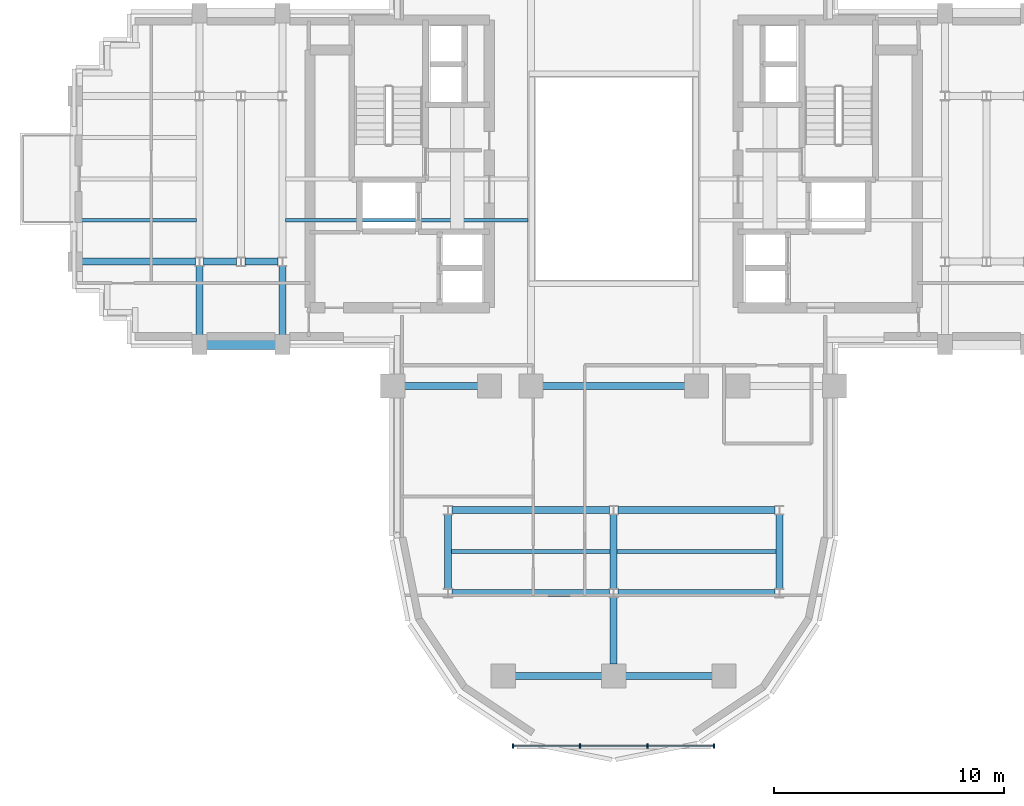
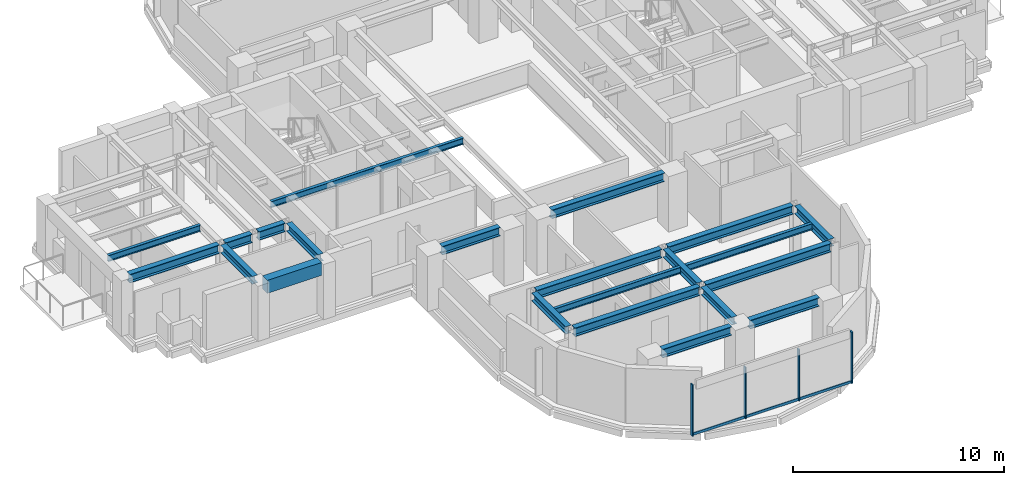
# One storey, part 3 of 13: 22 beams, 7 members, 1 element without a shape of its own.
"""IFC4 building model written with IfcOpenShell, lengths in metres."""

from ifc_helpers import new_model, si_unit, direction, frame, origin, origin_2d, place, context, subcontext, project, spatial, rectangle, i_section, extrude, source, transform, mapped, material, material_profile, profile_set, type_object, element, aggregate, save


model = new_model("IFC4")

# Units and contexts
model_context = context("Model", 3, precision=1e-05, world=origin(), true_north=direction((0.0, 1.0)))
body_context = subcontext(model_context, "Body", "Model", "MODEL_VIEW")
ifc_project = project(units=[si_unit("LENGTHUNIT", "METRE"), si_unit("AREAUNIT", "SQUARE_METRE"), si_unit("VOLUMEUNIT", "CUBIC_METRE"), si_unit("PLANEANGLEUNIT", "RADIAN"), si_unit("MASSUNIT", "GRAM", prefix="KILO")], contexts=[model_context])

# Site, building, storey
site_placement = place(None, origin())
site = spatial("IfcSite", under=ifc_project, at=site_placement, CompositionType="ELEMENT")
building_placement = place(site_placement, origin())
building = spatial("IfcBuilding", under=site, at=building_placement, Name="Keilestroom Media Tower", CompositionType="ELEMENT")
storey_placement = place(building_placement, frame((0.0, 0.0, 107.39990234375)))
storey = spatial("IfcBuildingStorey", under=building, at=storey_placement, Name="L28", CompositionType="ELEMENT", Elevation=107.39990234375)

# Beams
ifc_material_1 = material(Name="Steel S355", Category="steel")
ifc_material_profile_1 = material_profile(ifc_material_1, i_section(OverallWidth=0.169921875, OverallDepth=0.360107421875, WebThickness=0.008056640625, FlangeThickness=0.0126953125, at=origin_2d()), Name="IPE 360")
ifc_profile_set_1 = profile_set([ifc_material_profile_1], Name="Steel S355")
beam_type_1 = type_object("IfcBeamType", Name="Secondary-Floor-Joist-IPE-360", PredefinedType="JOIST", material=ifc_profile_set_1)
shared_shape_1 = source(origin(), body_context, "Body", "SweptSolid", [
    extrude(i_section(OverallWidth=0.169921875, OverallDepth=0.360107421875, WebThickness=0.008056640625, FlangeThickness=0.0126953125, at=origin_2d()), origin(), (0.0, 0.0, 1.0), 6.940185546875),
])
for number, where, z_axis, x_axis, name in (
    (1, (-7.070068359375, -16.199951171875, 3.02001953125), (1.0, 0.0, 0.0), (0.0, 1.0, 0.0), "L28 Beam BJ-5 JST-L28-069"),
    (2, (0.1298828125, -16.199951171875, 3.02001953125), (1.0, 0.0, 0.0), (0.0, 1.0, 0.0), "L28 Beam BJ-5 JST-L28-070"),
):
    element("IfcBeam", number, at=place(storey_placement, frame(where, z_axis=z_axis, x_axis=x_axis)), inside=storey, type_object=beam_type_1, Name=name, PredefinedType="JOIST", context=body_context, shape_type="MappedRepresentation", body=[
        mapped(shared_shape_1, transform((0.0, 0.0, 0.0), x_axis=(1.0, 0.0, 0.0), y_axis=(0.0, 1.0, 0.0), z_axis=(0.0, 0.0, 1.0), scale=1.0)),
    ])
shared_shape_2 = source(origin(), body_context, "Body", "SweptSolid", [
    extrude(i_section(OverallWidth=0.169921875, OverallDepth=0.360107421875, WebThickness=0.008056640625, FlangeThickness=0.0126953125, at=origin_2d()), origin(), (0.0, 0.0, 1.0), 10.5400390625),
])
beam_1_placement = place(storey_placement, frame((-14.27001953125, -1.800048828125, 3.02001953125), z_axis=(1.0, 0.0, 0.0), x_axis=(0.0, 1.0, 0.0)))
element("IfcBeam", 3, at=beam_1_placement, inside=storey, type_object=beam_type_1, Name="L28 Beam BJ-5 JST-L28-072", PredefinedType="JOIST", context=body_context, shape_type="MappedRepresentation", body=[
    mapped(shared_shape_2, transform((0.0, 0.0, 0.0), x_axis=(1.0, 0.0, 0.0), y_axis=(0.0, 1.0, 0.0), z_axis=(0.0, 0.0, 1.0), scale=1.0)),
])
ifc_material_profile_2 = material_profile(ifc_material_1, i_section(OverallWidth=0.300048828125, OverallDepth=0.5, WebThickness=0.012451171875, FlangeThickness=0.028076171875, at=origin_2d()), Name="HEB 500")
ifc_profile_set_2 = profile_set([ifc_material_profile_2], Name="Steel S355")
beam_type_2 = type_object("IfcBeamType", Name="Primary-Structural-Girder-HEB-500", PredefinedType="BEAM", material=ifc_profile_set_2)
shared_shape_3 = source(origin(), body_context, "Body", "SweptSolid", [
    extrude(i_section(OverallWidth=0.300048828125, OverallDepth=0.5, WebThickness=0.012451171875, FlangeThickness=0.028076171875, at=origin_2d()), origin(), (0.0, 0.0, 1.0), 3.7900390625),
])
for number, where, z_axis, x_axis, name in (
    (4, (-4.294921875, -21.60009765625, 2.9501953125), (1.0, 0.0, 0.0), (0.0, 1.0, 0.0), "L28 Beam BG-6 BM-L28-EW-001"),
    (5, (0.5048828125, -21.60009765625, 2.9501953125), (1.0, 0.0, 0.0), (0.0, 1.0, 0.0), "L28 Beam BG-6 BM-L28-EW-002"),
):
    element("IfcBeam", number, at=place(storey_placement, frame(where, z_axis=z_axis, x_axis=x_axis)), inside=storey, type_object=beam_type_2, Name=name, PredefinedType="BEAM", context=body_context, shape_type="MappedRepresentation", body=[
        mapped(shared_shape_3, transform((0.0, 0.0, 0.0), x_axis=(1.0, 0.0, 0.0), y_axis=(0.0, 1.0, 0.0), z_axis=(0.0, 0.0, 1.0), scale=1.0)),
    ])
shared_shape_4 = source(origin(), body_context, "Body", "SweptSolid", [
    extrude(i_section(OverallWidth=0.300048828125, OverallDepth=0.5, WebThickness=0.012451171875, FlangeThickness=0.028076171875, at=origin_2d()), origin(), (0.0, 0.0, 1.0), 6.839111328125),
])
for number, where, z_axis, x_axis, name in (
    (6, (-7.01953125, -18.0, 2.9501953125), (1.0, 0.0, 0.0), (0.0, 1.0, 0.0), "L28 Beam BG-6 BM-L28-EW-003"),
    (7, (0.180419921875, -18.0, 2.9501953125), (1.0, 0.0, 0.0), (0.0, 1.0, 0.0), "L28 Beam BG-6 BM-L28-EW-004"),
    (8, (-7.01953125, -14.39990234375, 2.9501953125), (1.0, 0.0, 0.0), (0.0, 1.0, 0.0), "L28 Beam BG-6 BM-L28-EW-005"),
    (9, (0.180419921875, -14.39990234375, 2.9501953125), (1.0, 0.0, 0.0), (0.0, 1.0, 0.0), "L28 Beam BG-6 BM-L28-EW-006"),
):
    element("IfcBeam", number, at=place(storey_placement, frame(where, z_axis=z_axis, x_axis=x_axis)), inside=storey, type_object=beam_type_2, Name=name, PredefinedType="BEAM", context=body_context, shape_type="MappedRepresentation", body=[
        mapped(shared_shape_4, transform((0.0, 0.0, 0.0), x_axis=(1.0, 0.0, 0.0), y_axis=(0.0, 1.0, 0.0), z_axis=(0.0, 0.0, 1.0), scale=1.0)),
    ])
shared_shape_5 = source(origin(), body_context, "Body", "SweptSolid", [
    extrude(i_section(OverallWidth=0.300048828125, OverallDepth=0.5, WebThickness=0.012451171875, FlangeThickness=0.028076171875, at=origin_2d()), origin(), (0.0, 0.0, 1.0), 3.18994140625),
])
beam_2_placement = place(storey_placement, frame((-9.094970703125, -9.0, 2.9501953125), z_axis=(1.0, 0.0, 0.0), x_axis=(0.0, 1.0, 0.0)))
element("IfcBeam", 10, at=beam_2_placement, inside=storey, type_object=beam_type_2, Name="L28 Beam BG-6 BM-L28-EW-007", PredefinedType="BEAM", context=body_context, shape_type="MappedRepresentation", body=[
    mapped(shared_shape_5, transform((0.0, 0.0, 0.0), x_axis=(1.0, 0.0, 0.0), y_axis=(0.0, 1.0, 0.0), z_axis=(0.0, 0.0, 1.0), scale=1.0)),
])
shared_shape_6 = source(origin(), body_context, "Body", "SweptSolid", [
    extrude(i_section(OverallWidth=0.300048828125, OverallDepth=0.5, WebThickness=0.012451171875, FlangeThickness=0.028076171875, at=origin_2d()), origin(), (0.0, 0.0, 1.0), 6.18994140625),
])
beam_3_placement = place(storey_placement, frame((-3.094970703125, -9.0, 2.9501953125), z_axis=(1.0, 0.0, 0.0), x_axis=(0.0, 1.0, 0.0)))
element("IfcBeam", 11, at=beam_3_placement, inside=storey, type_object=beam_type_2, Name="L28 Beam BG-6 BM-L28-EW-009", PredefinedType="BEAM", context=body_context, shape_type="MappedRepresentation", body=[
    mapped(shared_shape_6, transform((0.0, 0.0, 0.0), x_axis=(1.0, 0.0, 0.0), y_axis=(0.0, 1.0, 0.0), z_axis=(0.0, 0.0, 1.0), scale=1.0)),
])
ifc_material_2 = material(Name="Precast concrete C40/50", Category="concrete")
ifc_material_profile_3 = material_profile(ifc_material_2, rectangle(XDim=0.449951171875, YDim=0.75, at=origin_2d()), Name="PC 450x750")
ifc_profile_set_3 = profile_set([ifc_material_profile_3], Name="Precast concrete C40/50")
beam_type_3 = type_object("IfcBeamType", Name="Perimeter-Spandrel-Beam-PC-450x750", PredefinedType="SPANDREL", material=ifc_profile_set_3)
shared_shape_7 = source(origin(), body_context, "Body", "SweptSolid", [
    extrude(rectangle(XDim=0.449951171875, YDim=0.75, at=origin_2d()), origin(), (0.0, 0.0, 1.0), 2.989990234375),
])
beam_4_placement = place(storey_placement, frame((-17.695068359375, -7.199951171875, 2.8251953125), z_axis=(1.0, 0.0, 0.0), x_axis=(0.0, 1.0, 0.0)))
element("IfcBeam", 12, at=beam_4_placement, inside=storey, type_object=beam_type_3, Name="L28 Beam SPB-1 BM-L28-EW-012", PredefinedType="SPANDREL", context=body_context, shape_type="MappedRepresentation", body=[
    mapped(shared_shape_7, transform((0.0, 0.0, 0.0), x_axis=(1.0, 0.0, 0.0), y_axis=(0.0, 1.0, 0.0), z_axis=(0.0, 0.0, 1.0), scale=1.0)),
])
shared_shape_8 = source(origin(), body_context, "Body", "SweptSolid", [
    extrude(i_section(OverallWidth=0.300048828125, OverallDepth=0.5, WebThickness=0.012451171875, FlangeThickness=0.028076171875, at=origin_2d()), origin(), (0.0, 0.0, 1.0), 4.91455078125),
])
beam_5_placement = place(storey_placement, frame((-23.094970703125, -3.60009765625, 2.9501953125), z_axis=(1.0, 0.0, 0.0), x_axis=(0.0, 1.0, 0.0)))
element("IfcBeam", 13, at=beam_5_placement, inside=storey, type_object=beam_type_2, Name="L28 Beam BG-6 BM-L28-EW-014", PredefinedType="BEAM", context=body_context, shape_type="MappedRepresentation", body=[
    mapped(shared_shape_8, transform((0.0, 0.0, 0.0), x_axis=(1.0, 0.0, 0.0), y_axis=(0.0, 1.0, 0.0), z_axis=(0.0, 0.0, 1.0), scale=1.0)),
])
shared_shape_9 = source(origin(), body_context, "Body", "SweptSolid", [
    extrude(i_section(OverallWidth=0.300048828125, OverallDepth=0.5, WebThickness=0.012451171875, FlangeThickness=0.028076171875, at=origin_2d()), origin(), (0.0, 0.0, 1.0), 1.43896484375),
])
for number, where, z_axis, x_axis, name in (
    (14, (-17.819580078125, -3.60009765625, 2.9501953125), (1.0, 0.0, 0.0), (0.0, 1.0, 0.0), "L28 Beam BG-6 BM-L28-EW-015"),
    (15, (-16.01953125, -3.60009765625, 2.9501953125), (1.0, 0.0, 0.0), (0.0, 1.0, 0.0), "L28 Beam BG-6 BM-L28-EW-016"),
):
    element("IfcBeam", number, at=place(storey_placement, frame(where, z_axis=z_axis, x_axis=x_axis)), inside=storey, type_object=beam_type_2, Name=name, PredefinedType="BEAM", context=body_context, shape_type="MappedRepresentation", body=[
        mapped(shared_shape_9, transform((0.0, 0.0, 0.0), x_axis=(1.0, 0.0, 0.0), y_axis=(0.0, 1.0, 0.0), z_axis=(0.0, 0.0, 1.0), scale=1.0)),
    ])
ifc_material_profile_4 = material_profile(ifc_material_1, i_section(OverallWidth=0.300048828125, OverallDepth=0.449951171875, WebThickness=0.011962890625, FlangeThickness=0.02587890625, at=origin_2d()), Name="HEB 450")
ifc_profile_set_4 = profile_set([ifc_material_profile_4], Name="Steel S355")
beam_type_4 = type_object("IfcBeamType", Name="Primary-Structural-Girder-HEB-450", PredefinedType="BEAM", material=ifc_profile_set_4)
shared_shape_10 = source(origin(), body_context, "Body", "SweptSolid", [
    extrude(i_section(OverallWidth=0.300048828125, OverallDepth=0.449951171875, WebThickness=0.011962890625, FlangeThickness=0.02587890625, at=origin_2d()), origin(), (0.0, 0.0, 1.0), 3.015380859375),
])
for number, where, z_axis, x_axis, name in (
    (16, (-18.0, -6.794921875, 2.97509765625), (0.0, 1.0, 0.0), (-1.0, 0.0, 0.0), "L28 Beam BG-7 BM-L28-NS-040"),
    (17, (-14.39990234375, -6.794921875, 2.97509765625), (0.0, 1.0, 0.0), (-1.0, 0.0, 0.0), "L28 Beam BG-7 BM-L28-NS-044"),
):
    element("IfcBeam", number, at=place(storey_placement, frame(where, z_axis=z_axis, x_axis=x_axis)), inside=storey, type_object=beam_type_4, Name=name, PredefinedType="BEAM", context=body_context, shape_type="MappedRepresentation", body=[
        mapped(shared_shape_10, transform((0.0, 0.0, 0.0), x_axis=(1.0, 0.0, 0.0), y_axis=(0.0, 1.0, 0.0), z_axis=(0.0, 0.0, 1.0), scale=1.0)),
    ])
shared_shape_11 = source(origin(), body_context, "Body", "SweptSolid", [
    extrude(i_section(OverallWidth=0.300048828125, OverallDepth=0.449951171875, WebThickness=0.011962890625, FlangeThickness=0.02587890625, at=origin_2d()), origin(), (0.0, 0.0, 1.0), 3.240966796875),
])
for number, where, z_axis, x_axis, name in (
    (18, (-7.199951171875, -17.820556640625, 2.97509765625), (0.0, 1.0, 0.0), (-1.0, 0.0, 0.0), "L28 Beam BG-7 BM-L28-NS-048"),
    (19, (0.0, -17.820556640625, 2.97509765625), (0.0, 1.0, 0.0), (-1.0, 0.0, 0.0), "L28 Beam BG-7 BM-L28-NS-053"),
    (20, (7.199951171875, -17.820556640625, 2.97509765625), (0.0, 1.0, 0.0), (-1.0, 0.0, 0.0), "L28 Beam BG-7 BM-L28-NS-058"),
):
    element("IfcBeam", number, at=place(storey_placement, frame(where, z_axis=z_axis, x_axis=x_axis)), inside=storey, type_object=beam_type_4, Name=name, PredefinedType="BEAM", context=body_context, shape_type="MappedRepresentation", body=[
        mapped(shared_shape_11, transform((0.0, 0.0, 0.0), x_axis=(1.0, 0.0, 0.0), y_axis=(0.0, 1.0, 0.0), z_axis=(0.0, 0.0, 1.0), scale=1.0)),
    ])
shared_shape_12 = source(origin(), body_context, "Body", "SweptSolid", [
    extrude(i_section(OverallWidth=0.300048828125, OverallDepth=0.449951171875, WebThickness=0.011962890625, FlangeThickness=0.02587890625, at=origin_2d()), origin(), (0.0, 0.0, 1.0), 2.91552734375),
])
beam_6_placement = place(storey_placement, frame((0.0, -21.094970703125, 2.97509765625), z_axis=(0.0, 1.0, 0.0), x_axis=(-1.0, 0.0, 0.0)))
element("IfcBeam", 21, at=beam_6_placement, inside=storey, type_object=beam_type_4, Name="L28 Beam BG-7 BM-L28-NS-052", PredefinedType="BEAM", context=body_context, shape_type="MappedRepresentation", body=[
    mapped(shared_shape_12, transform((0.0, 0.0, 0.0), x_axis=(1.0, 0.0, 0.0), y_axis=(0.0, 1.0, 0.0), z_axis=(0.0, 0.0, 1.0), scale=1.0)),
])
shared_shape_13 = source(origin(), body_context, "Body", "SweptSolid", [
    extrude(i_section(OverallWidth=0.169921875, OverallDepth=0.360107421875, WebThickness=0.008056640625, FlangeThickness=0.0126953125, at=origin_2d()), origin(), (0.0, 0.0, 1.0), 5.065185546875),
])
beam_7_placement = place(storey_placement, frame((-23.195068359375, -1.800048828125, 3.02001953125), z_axis=(1.0, 0.0, 0.0), x_axis=(0.0, 1.0, 0.0)))
element("IfcBeam", 22, at=beam_7_placement, inside=storey, type_object=beam_type_1, Name="L28 Beam BJ-5 JST-L28-071", PredefinedType="JOIST", context=body_context, shape_type="MappedRepresentation", body=[
    mapped(shared_shape_13, transform((0.0, 0.0, 0.0), x_axis=(1.0, 0.0, 0.0), y_axis=(0.0, 1.0, 0.0), z_axis=(0.0, 0.0, 1.0), scale=1.0)),
])

# Curtain wall, members
ifc_material_3 = material(Name="Anodised Aluminium Alloy", Category="aluminium")
curtain_wall_type = type_object("IfcCurtainWallType", Name="Unitised-Curtain-Wall-CW-6", PredefinedType="NOTDEFINED", material=ifc_material_3)
curtain_wall_placement = place(storey_placement, origin())
curtain_wall = element("IfcCurtainWall", 23, at=curtain_wall_placement, inside=storey, type_object=curtain_wall_type, Name="L28 Curtain Wall CW-6 CW-L28-LS-1", PredefinedType="NOTDEFINED")
ifc_material_profile_5 = material_profile(ifc_material_3, rectangle(XDim=0.06494140625, YDim=0.179931640625, at=origin_2d()), Name="ALU MULLION 65x180")
ifc_profile_set_5 = profile_set([ifc_material_profile_5], Name="Anodised Aluminium Alloy")
member_type_1 = type_object("IfcMemberType", Name="Curtain-Wall-Mullion-CW-6", PredefinedType="MULLION", material=ifc_profile_set_5)
shared_shape_14 = source(origin(), body_context, "Body", "SweptSolid", [
    extrude(rectangle(XDim=0.06494140625, YDim=0.179931640625, at=origin_2d()), origin(), (0.0, 0.0, 1.0), 2.97998046875),
])
member_1_placement = place(storey_placement, frame((-4.367431640625, -24.64990234375, 0.0), z_axis=(0.0, 0.0, 1.0), x_axis=(1.0, 0.0, 0.0)))
member_1 = element("IfcMember", 24, at=member_1_placement, type_object=member_type_1, Name="CW-6 Mullion 00", PredefinedType="MULLION", context=body_context, shape_type="MappedRepresentation", body=[
    mapped(shared_shape_14, transform((0.0, 0.0, 0.0), x_axis=(1.0, 0.0, 0.0), y_axis=(0.0, 1.0, 0.0), z_axis=(0.0, 0.0, 1.0), scale=1.0)),
])
member_2_placement = place(storey_placement, frame((-1.466796875, -24.64990234375, 0.0), z_axis=(0.0, 0.0, 1.0), x_axis=(1.0, 0.0, 0.0)))
member_2 = element("IfcMember", 25, at=member_2_placement, type_object=member_type_1, Name="CW-6 Mullion 01", PredefinedType="MULLION", context=body_context, shape_type="MappedRepresentation", body=[
    mapped(shared_shape_14, transform((0.0, 0.0, 0.0), x_axis=(1.0, 0.0, 0.0), y_axis=(0.0, 1.0, 0.0), z_axis=(0.0, 0.0, 1.0), scale=1.0)),
])
member_3_placement = place(storey_placement, frame((1.466796875, -24.64990234375, 0.0), z_axis=(0.0, 0.0, 1.0), x_axis=(1.0, 0.0, 0.0)))
member_3 = element("IfcMember", 26, at=member_3_placement, type_object=member_type_1, Name="CW-6 Mullion 02", PredefinedType="MULLION", context=body_context, shape_type="MappedRepresentation", body=[
    mapped(shared_shape_14, transform((0.0, 0.0, 0.0), x_axis=(1.0, 0.0, 0.0), y_axis=(0.0, 1.0, 0.0), z_axis=(0.0, 0.0, 1.0), scale=1.0)),
])
member_4_placement = place(storey_placement, frame((4.367431640625, -24.64990234375, 0.0), z_axis=(0.0, 0.0, 1.0), x_axis=(1.0, 0.0, 0.0)))
member_4 = element("IfcMember", 27, at=member_4_placement, type_object=member_type_1, Name="CW-6 Mullion 03", PredefinedType="MULLION", context=body_context, shape_type="MappedRepresentation", body=[
    mapped(shared_shape_14, transform((0.0, 0.0, 0.0), x_axis=(1.0, 0.0, 0.0), y_axis=(0.0, 1.0, 0.0), z_axis=(0.0, 0.0, 1.0), scale=1.0)),
])
ifc_material_profile_6 = material_profile(ifc_material_3, rectangle(XDim=0.06494140625, YDim=0.14990234375, at=origin_2d()), Name="ALU TRANSOM 65x150")
ifc_profile_set_6 = profile_set([ifc_material_profile_6], Name="Anodised Aluminium Alloy")
member_type_2 = type_object("IfcMemberType", Name="Curtain-Wall-Transom-CW-6", PredefinedType="USERDEFINED", material=ifc_profile_set_6)
shared_shape_15 = source(origin(), body_context, "Body", "SweptSolid", [
    extrude(rectangle(XDim=0.06494140625, YDim=0.14990234375, at=origin_2d()), origin(), (0.0, 0.0, 1.0), 2.839599609375),
])
member_5_placement = place(storey_placement, frame((-4.3369140625, -24.64990234375, 0.0751953125), z_axis=(1.0, 0.0, 0.0), x_axis=(0.0, 1.0, 0.0)))
member_5 = element("IfcMember", 28, at=member_5_placement, type_object=member_type_2, Name="CW-6 Transom 00.1", ObjectType="TRANSOM", PredefinedType="USERDEFINED", context=body_context, shape_type="MappedRepresentation", body=[
    mapped(shared_shape_15, transform((0.0, 0.0, 0.0), x_axis=(1.0, 0.0, 0.0), y_axis=(0.0, 1.0, 0.0), z_axis=(0.0, 0.0, 1.0), scale=1.0)),
])
member_6_placement = place(storey_placement, frame((1.497314453125, -24.64990234375, 0.0751953125), z_axis=(1.0, 0.0, 0.0), x_axis=(0.0, 1.0, 0.0)))
member_6 = element("IfcMember", 29, at=member_6_placement, type_object=member_type_2, Name="CW-6 Transom 02.1", ObjectType="TRANSOM", PredefinedType="USERDEFINED", context=body_context, shape_type="MappedRepresentation", body=[
    mapped(shared_shape_15, transform((0.0, 0.0, 0.0), x_axis=(1.0, 0.0, 0.0), y_axis=(0.0, 1.0, 0.0), z_axis=(0.0, 0.0, 1.0), scale=1.0)),
])
shared_shape_16 = source(origin(), body_context, "Body", "SweptSolid", [
    extrude(rectangle(XDim=0.06494140625, YDim=0.14990234375, at=origin_2d()), origin(), (0.0, 0.0, 1.0), 2.87255859375),
])
member_7_placement = place(storey_placement, frame((-1.436279296875, -24.64990234375, 0.0751953125), z_axis=(1.0, 0.0, 0.0), x_axis=(0.0, 1.0, 0.0)))
member_7 = element("IfcMember", 30, at=member_7_placement, type_object=member_type_2, Name="CW-6 Transom 01.1", ObjectType="TRANSOM", PredefinedType="USERDEFINED", context=body_context, shape_type="MappedRepresentation", body=[
    mapped(shared_shape_16, transform((0.0, 0.0, 0.0), x_axis=(1.0, 0.0, 0.0), y_axis=(0.0, 1.0, 0.0), z_axis=(0.0, 0.0, 1.0), scale=1.0)),
])
aggregate(curtain_wall, [member_1, member_2, member_3, member_4, member_5, member_7, member_6])

save(model, "model.ifc")
